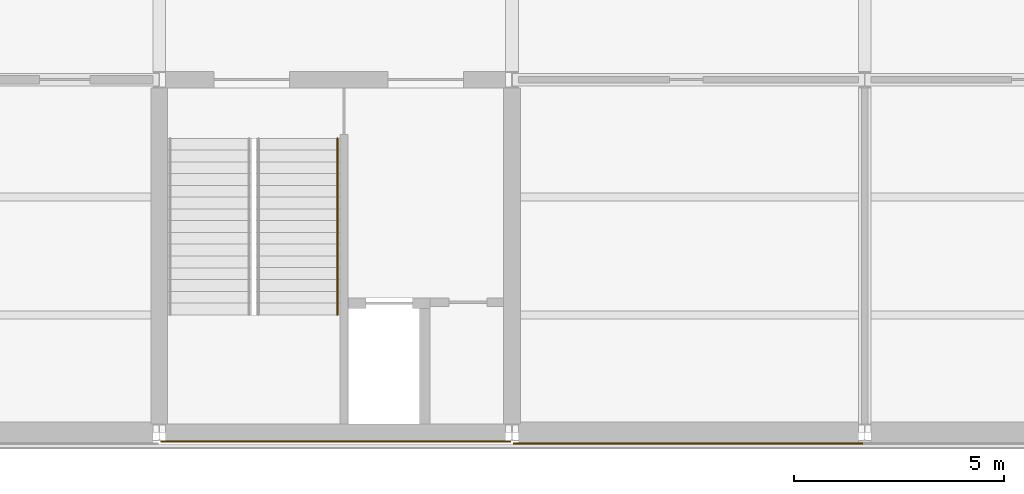
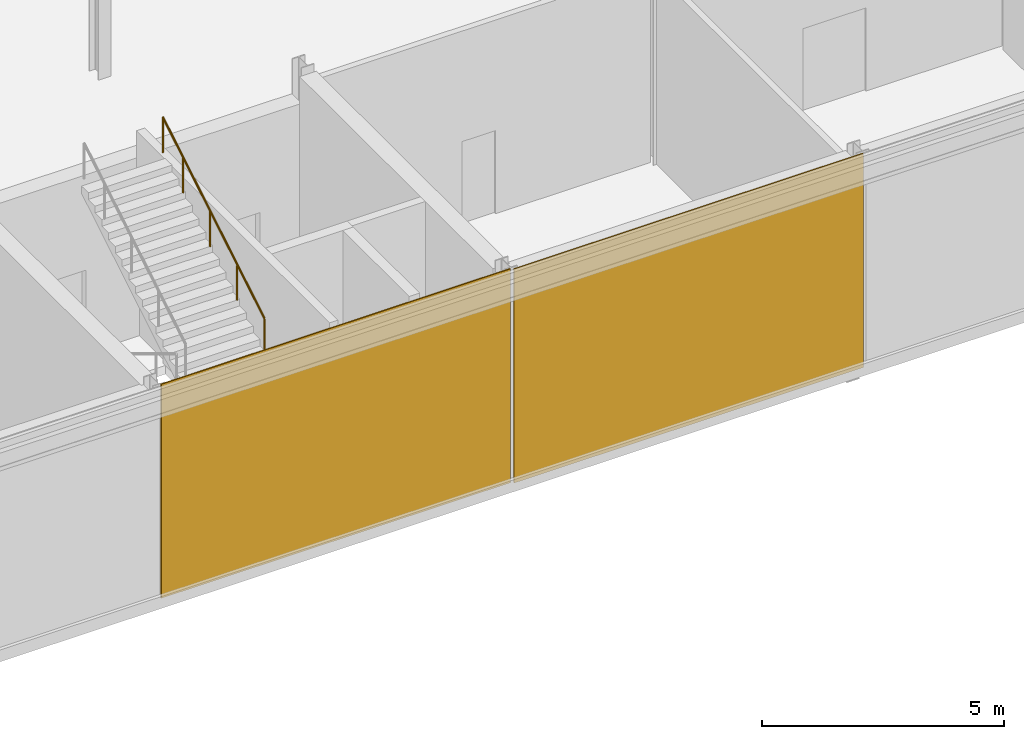
# One storey, part 47 of 57: 2 coverings, 1 railing.
"""IFC4 building model written with IfcOpenShell, lengths in metres."""

from ifc_helpers import new_model, si_unit, direction, frame, origin, origin_2d, place, context, subcontext, project, spatial, rectangle, circle, extrude, material, layer, layer_set, type_object, element, save


model = new_model("IFC4")

# Units and contexts
model_context = context("Model", 3, precision=1e-05, world=origin(), true_north=direction((0.0, 1.0)))
body_context = subcontext(model_context, "Body", "Model", "MODEL_VIEW")
ifc_project = project(units=[si_unit("LENGTHUNIT", "METRE"), si_unit("AREAUNIT", "SQUARE_METRE"), si_unit("VOLUMEUNIT", "CUBIC_METRE"), si_unit("PLANEANGLEUNIT", "RADIAN"), si_unit("MASSUNIT", "GRAM", prefix="KILO")], contexts=[model_context])

# Site, building, storey
site_placement = place(None, origin())
site = spatial("IfcSite", under=ifc_project, at=site_placement, CompositionType="ELEMENT")
building_placement = place(site_placement, origin())
building = spatial("IfcBuilding", under=site, at=building_placement, Name="Galleria Vessillo Department Store", CompositionType="ELEMENT")
storey_placement = place(building_placement, frame((0.0, 0.0, 25.800048828125)))
storey = spatial("IfcBuildingStorey", under=building, at=storey_placement, Name="L05", CompositionType="ELEMENT", Elevation=25.800048828125)

# Coverings
ifc_material_1 = material(Name="Lime plaster (intonaco) ochre")
ifc_layer = layer(ifc_material_1, 0.030029296875)
ifc_layer_set = layer_set([ifc_layer], Name="Lime plaster (intonaco) ochre")
covering_type = type_object("IfcCoveringType", Name="Lime plaster render 30 mm", PredefinedType="CLADDING", material=ifc_layer_set)
covering_1_placement = place(storey_placement, frame((79.800048828125, -0.215087890625, 0.0), z_axis=(0.0, 0.0, 1.0), x_axis=(1.0, 0.0, 0.0)))
element("IfcCovering", 1, at=covering_1_placement, inside=storey, type_object=covering_type, Name="Wall cladding S-CW-PC-SE-PARTY-L05", PredefinedType="CLADDING", context=body_context, shape_type="SweptSolid", body=[
    extrude(rectangle(XDim=8.33984375, YDim=0.030029296875, at=origin_2d()), origin(), (0.0, 0.0, 1.0), 5.39990234375),
])
covering_2_placement = place(storey_placement, frame((88.199951171875, -0.264892578125, 0.0), z_axis=(0.0, 0.0, 1.0), x_axis=(1.0, 0.0, 0.0)))
element("IfcCovering", 2, at=covering_2_placement, inside=storey, type_object=covering_type, Name="Wall cladding S-PS-L05-07", PredefinedType="CLADDING", context=body_context, shape_type="SweptSolid", body=[
    extrude(rectangle(XDim=8.340087890625, YDim=0.030029296875, at=origin_2d()), origin(), (0.0, 0.0, 1.0), 5.39990234375),
])

# Railing
ifc_material_2 = material(Name="Stainless steel tube", Category="steel")
railing_type = type_object("IfcRailingType", Name="Stair handrail steel tube 48 mm", PredefinedType="HANDRAIL", material=ifc_material_2)
railing_placement = place(storey_placement, frame((79.83984375, 2.800048828125, 2.86865234375)))
element("IfcRailing", 3, at=railing_placement, inside=storey, type_object=railing_type, Name="Handrail ST5 L05 flight 2B", PredefinedType="HANDRAIL", context=body_context, shape_type="SweptSolid", body=[
    extrude(circle(Radius=0.02392578125, at=origin_2d()), frame((0.0, 0.0, 0.89599609375), z_axis=(0.0, 0.856486514401, 0.516169401116), x_axis=(-1.0, 0.0, 0.0)), (0.0, 0.0, 1.0), 1.307861328125),
    extrude(circle(Radius=0.02392578125, at=origin_2d()), frame((0.0, 1.1201171875, 1.57080078125), z_axis=(0.0, 0.856436765236, 0.516251941548), x_axis=(-1.0, 0.0, 0.0)), (0.0, 0.0, 1.0), 1.3076171875),
    extrude(circle(Radius=0.02392578125, at=origin_2d()), frame((0.0, 2.239990234375, 2.24609375), z_axis=(0.0, 0.856486514401, 0.516169401116), x_axis=(-1.0, 0.0, 0.0)), (0.0, 0.0, 1.0), 1.307861328125),
    extrude(circle(Radius=0.02392578125, at=origin_2d()), frame((0.0, 3.360107421875, 2.9208984375), z_axis=(0.0, 0.856502732318, 0.516142489563), x_axis=(-1.0, 0.0, 0.0)), (0.0, 0.0, 1.0), 0.98046875),
    extrude(circle(Radius=0.02099609375, at=origin_2d()), origin(), (0.0, 0.0, 1.0), 0.871826171875),
    extrude(circle(Radius=0.02099609375, at=origin_2d()), frame((0.0, 1.1201171875, 0.675048828125)), (0.0, 0.0, 1.0), 0.871826171875),
    extrude(circle(Radius=0.02099609375, at=origin_2d()), frame((0.0, 2.239990234375, 1.35009765625)), (0.0, 0.0, 1.0), 0.871826171875),
    extrude(circle(Radius=0.02099609375, at=origin_2d()), frame((0.0, 3.360107421875, 2.025146484375)), (0.0, 0.0, 1.0), 0.871826171875),
    extrude(circle(Radius=0.02099609375, at=origin_2d()), frame((0.0, 4.199951171875, 2.53125)), (0.0, 0.0, 1.0), 0.871826171875),
])

save(model, "model.ifc")
